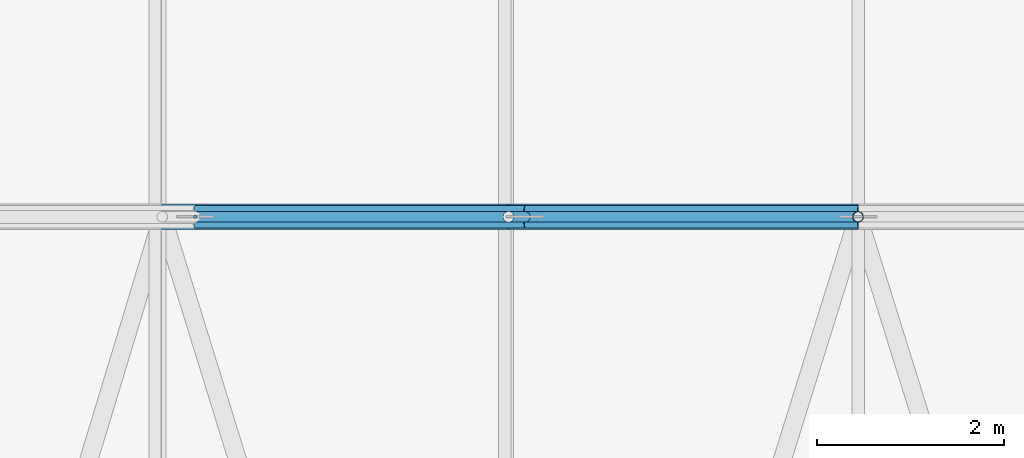
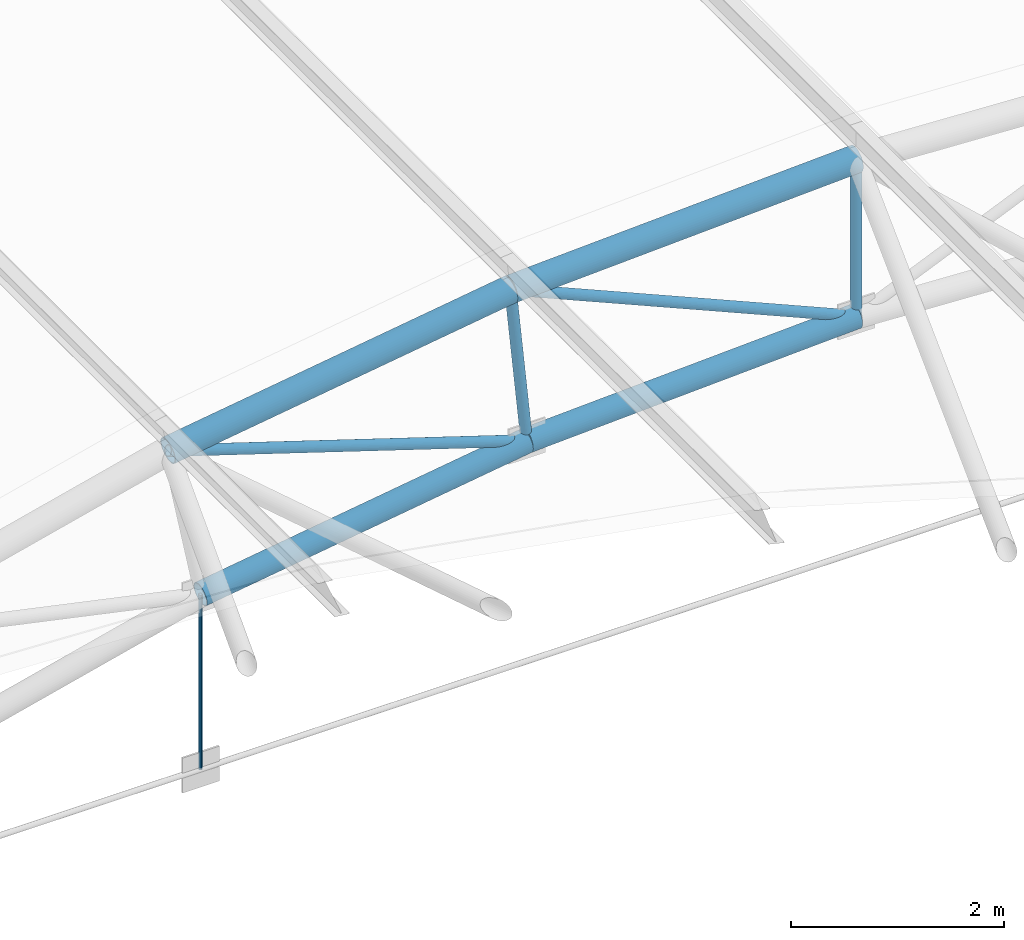
# One storey, part 213 of 321: 9 members.
"""IFC4 building model written with IfcOpenShell, lengths in metres."""

from ifc_helpers import new_model, si_unit, direction, frame, origin, origin_2d, place, context, subcontext, project, spatial, circle, hollow_circle, extrude, material, material_profile, profile_set, type_object, element, save


model = new_model("IFC4")

# Units and contexts
model_context = context("Model", 3, precision=1e-05, world=origin(), true_north=direction((0.0, 1.0)))
body_context = subcontext(model_context, "Body", "Model", "MODEL_VIEW")
ifc_project = project(units=[si_unit("LENGTHUNIT", "METRE"), si_unit("AREAUNIT", "SQUARE_METRE"), si_unit("VOLUMEUNIT", "CUBIC_METRE"), si_unit("PLANEANGLEUNIT", "RADIAN"), si_unit("MASSUNIT", "GRAM", prefix="KILO")], contexts=[model_context])

# Site, building, storey
site_placement = place(None, origin())
site = spatial("IfcSite", under=ifc_project, at=site_placement, CompositionType="ELEMENT")
building_placement = place(site_placement, origin())
building = spatial("IfcBuilding", under=site, at=building_placement, Name="Ravi Spectrum Wholesale Market", CompositionType="ELEMENT")
storey_placement = place(building_placement, frame((0.0, 0.0, 10.800048828125)))
storey = spatial("IfcBuildingStorey", under=building, at=storey_placement, Name="L02", CompositionType="ELEMENT", Elevation=10.800048828125)

# Members
ifc_material_1 = material(Name="Steel S355", Category="steel")
ifc_material_profile_1 = material_profile(ifc_material_1, hollow_circle(Radius=0.05712890625, WallThickness=0.00390625, at=origin_2d()))
ifc_profile_set_1 = profile_set([ifc_material_profile_1], Name="Steel S355")
member_type_1 = type_object("IfcMemberType", Name="CHS 114.3x4 brace", PredefinedType="BRACE", material=ifc_profile_set_1)
for number, where, z_axis, x_axis, name in (
    (1, (172.551513671875, 162.0, 3.767822265625), (0.952400500519, 0.0, -0.304849613108), (0.0, 1.0, 0.0), "H3-MB-L02-112"),
    (2, (176.2578125, 162.0, 4.31640625), (0.918016770488, 0.0, -0.396541560373), (0.0, 1.0, 0.0), "H3-MB-L02-113"),
):
    element("IfcMember", number, at=place(storey_placement, frame(where, z_axis=z_axis, x_axis=x_axis)), inside=storey, type_object=member_type_1, Name=name, PredefinedType="BRACE", context=body_context, shape_type="SweptSolid", body=[
        extrude(hollow_circle(Radius=0.05712890625, WallThickness=0.00390625, at=origin_2d()), origin(), (0.0, 0.0, 1.0), 4.076416015625),
    ])
ifc_material_2 = material(Name="Steel S355", Category="steel")
ifc_material_profile_2 = material_profile(ifc_material_2, hollow_circle(Radius=0.05712890625, WallThickness=0.00390625, at=origin_2d()))
ifc_profile_set_2 = profile_set([ifc_material_profile_2], Name="Steel S355")
member_type_2 = type_object("IfcMemberType", Name="CHS 114.3x4 post", PredefinedType="POST", material=ifc_profile_set_2)
member_1_placement = place(storey_placement, frame((176.2578125, 162.0, 4.31640625), z_axis=(0.097797973815, 0.0, -0.995206288323), x_axis=(0.0, 1.0, 0.0)))
element("IfcMember", 3, at=member_1_placement, inside=storey, type_object=member_type_2, Name="H3-MB-L02-104", PredefinedType="POST", context=body_context, shape_type="SweptSolid", body=[
    extrude(hollow_circle(Radius=0.05712890625, WallThickness=0.00390625, at=origin_2d()), origin(), (0.0, 0.0, 1.0), 1.7998046875),
])
member_2_placement = place(storey_placement, frame((180.0, 162.0, 4.5), z_axis=(0.0, 0.0, -1.0), x_axis=(1.0, 0.0, 0.0)))
element("IfcMember", 4, at=member_2_placement, inside=storey, type_object=member_type_2, Name="H3-MB-L02-105", PredefinedType="POST", context=body_context, shape_type="SweptSolid", body=[
    extrude(hollow_circle(Radius=0.05712890625, WallThickness=0.00390625, at=origin_2d()), origin(), (0.0, 0.0, 1.0), 1.800048828125),
])
ifc_material_3 = material(Name="Steel S355", Category="steel")
ifc_material_profile_3 = material_profile(ifc_material_3, hollow_circle(Radius=0.122314453125, WallThickness=0.008056640625, at=origin_2d()))
ifc_profile_set_3 = profile_set([ifc_material_profile_3], Name="Steel S355")
member_type_3 = type_object("IfcMemberType", Name="CHS 244.5x8 chord", PredefinedType="CHORD", material=ifc_profile_set_3)
member_3_placement = place(storey_placement, frame((172.902099609375, 162.0, 2.002197265625), z_axis=(0.989214474115, 0.0, 0.146474312426), x_axis=(0.0, 1.0, 0.0)))
element("IfcMember", 5, at=member_3_placement, inside=storey, type_object=member_type_3, Name="H3-MB-L02-094", PredefinedType="CHORD", context=body_context, shape_type="SweptSolid", body=[
    extrude(hollow_circle(Radius=0.122314453125, WallThickness=0.008056640625, at=origin_2d()), origin(), (0.0, 0.0, 1.0), 3.5703125),
])
member_4_placement = place(storey_placement, frame((176.433837890625, 162.0, 2.525146484375), z_axis=(0.998800798306, 0.0, 0.048958812322), x_axis=(0.0, 1.0, 0.0)))
element("IfcMember", 6, at=member_4_placement, inside=storey, type_object=member_type_3, Name="H3-MB-L02-095", PredefinedType="CHORD", context=body_context, shape_type="SweptSolid", body=[
    extrude(hollow_circle(Radius=0.122314453125, WallThickness=0.008056640625, at=origin_2d()), origin(), (0.0, 0.0, 1.0), 3.570556640625),
])
ifc_material_4 = material(Name="Steel S355", Category="steel")
ifc_material_profile_4 = material_profile(ifc_material_4, hollow_circle(Radius=0.136474609375, WallThickness=0.010009765625, at=origin_2d()))
ifc_profile_set_4 = profile_set([ifc_material_profile_4], Name="Steel S355")
member_type_4 = type_object("IfcMemberType", Name="CHS 273x10 chord", PredefinedType="CHORD", material=ifc_profile_set_4)
for number, where, z_axis, x_axis, name in (
    (7, (172.551513671875, 162.0, 3.767822265625), (0.989222696265, 0.0, 0.146418773368), (0.0, 1.0, 0.0), "H3-MB-L02-084"),
    (8, (176.2578125, 162.0, 4.31640625), (0.998798699726, 0.0, 0.049001606354), (0.0, 1.0, 0.0), "H3-MB-L02-085"),
):
    element("IfcMember", number, at=place(storey_placement, frame(where, z_axis=z_axis, x_axis=x_axis)), inside=storey, type_object=member_type_4, Name=name, PredefinedType="CHORD", context=body_context, shape_type="SweptSolid", body=[
        extrude(hollow_circle(Radius=0.136474609375, WallThickness=0.010009765625, at=origin_2d()), origin(), (0.0, 0.0, 1.0), 3.74658203125),
    ])
ifc_material_5 = material(Name="Steel S355", Category="steel")
ifc_material_profile_5 = material_profile(ifc_material_5, circle(Radius=0.01806640625, at=origin_2d()))
ifc_profile_set_5 = profile_set([ifc_material_profile_5], Name="Steel S355")
member_type_5 = type_object("IfcMemberType", Name="ROD 36 hanger", PredefinedType="STRUT", material=ifc_profile_set_5)
member_5_placement = place(storey_placement, frame((172.902099609375, 162.0, 0.0), z_axis=(0.0, 0.0, 1.0), x_axis=(1.0, 0.0, 0.0)))
element("IfcMember", 9, at=member_5_placement, inside=storey, type_object=member_type_5, Name="H3-MB-L02-119", PredefinedType="STRUT", context=body_context, shape_type="SweptSolid", body=[
    extrude(circle(Radius=0.01806640625, at=origin_2d()), origin(), (0.0, 0.0, 1.0), 2.002197265625),
])

save(model, "model.ifc")
